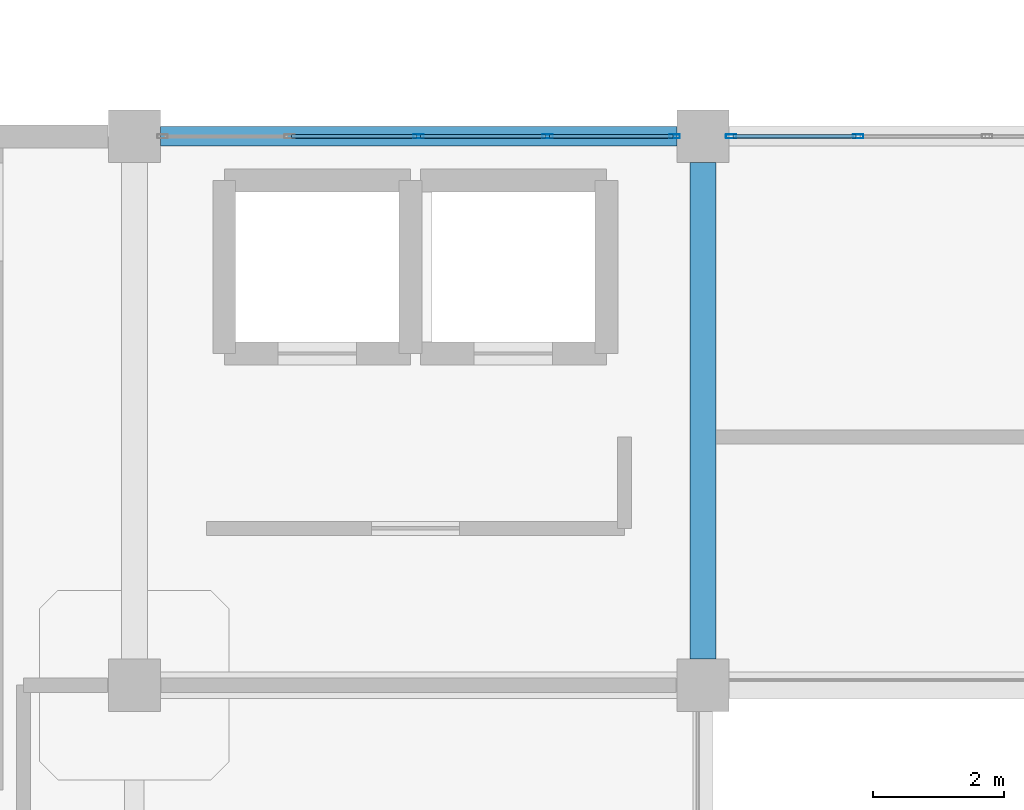
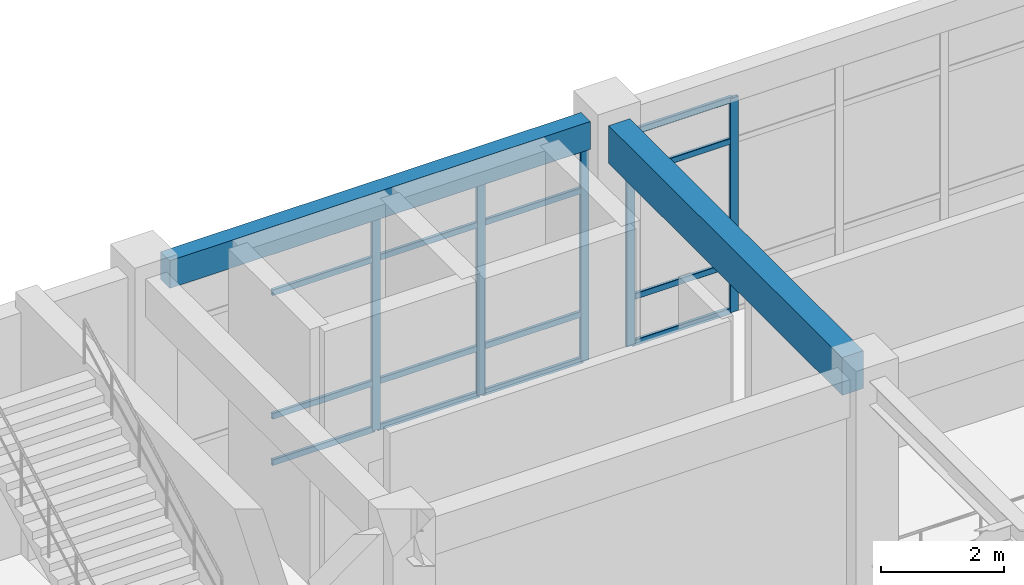
# One storey, part 45 of 96: 21 members, 2 beams, 2 elements without a shape of their own.
"""IFC4 building model written with IfcOpenShell, lengths in metres."""

from ifc_helpers import new_model, si_unit, derived_unit, direction, frame, origin, origin_2d, place, context, subcontext, project, spatial, rectangle, hollow_rectangle, extrude, material, layer, layer_set, material_profile, profile_set, type_object, element, aggregate, save


model = new_model("IFC4")

# Units and contexts
model_context = context("Model", 3, precision=1e-05, world=origin(), true_north=direction((0.0, 1.0)))
body_context = subcontext(model_context, "Body", "Model", "MODEL_VIEW")
ifc_project = project(units=[si_unit("LENGTHUNIT", "METRE"), si_unit("AREAUNIT", "SQUARE_METRE"), si_unit("VOLUMEUNIT", "CUBIC_METRE"), si_unit("PLANEANGLEUNIT", "RADIAN"), si_unit("MASSUNIT", "GRAM", prefix="KILO"), derived_unit("THERMALTRANSMITTANCEUNIT", [(si_unit("MASSUNIT", "GRAM", prefix="KILO"), 1), (si_unit("TIMEUNIT", "SECOND"), -3), (si_unit("THERMODYNAMICTEMPERATUREUNIT", "KELVIN"), -1)])], contexts=[model_context])

# Site, building, storey
site_placement = place(None, origin())
site = spatial("IfcSite", under=ifc_project, at=site_placement, CompositionType="ELEMENT")
building_placement = place(site_placement, origin())
building = spatial("IfcBuilding", under=site, at=building_placement, Name="Qinzheling Arcade Emporium", CompositionType="ELEMENT")
storey_placement = place(building_placement, frame((0.0, 0.0, 21.60009765625)))
storey = spatial("IfcBuildingStorey", under=building, at=storey_placement, Name="L05", CompositionType="ELEMENT", Elevation=21.60009765625)

# Curtain wall, members
ifc_material_1 = material(Name="Anodised aluminium and solar-control double glazing", Category="aluminium")
ifc_layer = layer(ifc_material_1, 0.159912109375, Name="Anodised aluminium and solar-control double glazing", Category="aluminium")
ifc_layer_set = layer_set([ifc_layer], Name="Anodised aluminium and solar-control double glazing")
curtain_wall_type = type_object("IfcCurtainWallType", Name="Atrium Clerestory Curtain Wall", PredefinedType="NOTDEFINED", material=ifc_layer_set)
curtain_wall_1_placement = place(storey_placement, origin())
curtain_wall_1 = element("IfcCurtainWall", 1, at=curtain_wall_1_placement, inside=storey, type_object=curtain_wall_type, Name="Curtain Wall CW-L05-319", PredefinedType="NOTDEFINED")
ifc_material_2 = material(Name="Anodised aluminium 6063-T6", Category="aluminium")
ifc_material_profile_1 = material_profile(ifc_material_2, hollow_rectangle(XDim=0.06005859375, YDim=0.159912109375, WallThickness=0.00390625, InnerFilletRadius=0.00390625, OuterFilletRadius=0.008056640625, at=origin_2d()), Name="RHS 160x60x4", Category="aluminium")
ifc_profile_set_1 = profile_set([ifc_material_profile_1], Name="Anodised aluminium 6063-T6")
member_type_1 = type_object("IfcMemberType", Name="Curtain Wall Mullion RHS160x60", PredefinedType="MULLION", material=ifc_profile_set_1)
member_1_placement = place(storey_placement, frame((47.85009765625, 73.800048828125, 0.0), z_axis=(0.0, 0.0, 1.0), x_axis=(0.0, 1.0, 0.0)))
member_1 = element("IfcMember", 2, at=member_1_placement, type_object=member_type_1, Name="CW03 mullion 3", PredefinedType="MULLION", context=body_context, shape_type="SweptSolid", body=[
    extrude(hollow_rectangle(XDim=0.06005859375, YDim=0.159912109375, WallThickness=0.00390625, InnerFilletRadius=0.00390625, OuterFilletRadius=0.008056640625, at=origin_2d()), origin(), (0.0, 0.0, 1.0), 4.2548828125),
])
member_2_placement = place(storey_placement, frame((49.823974609375, 73.800048828125, 0.0), z_axis=(0.0, 0.0, 1.0), x_axis=(0.0, 1.0, 0.0)))
member_2 = element("IfcMember", 3, at=member_2_placement, type_object=member_type_1, Name="CW03 mullion 4", PredefinedType="MULLION", context=body_context, shape_type="SweptSolid", body=[
    extrude(hollow_rectangle(XDim=0.06005859375, YDim=0.159912109375, WallThickness=0.00390625, InnerFilletRadius=0.00390625, OuterFilletRadius=0.008056640625, at=origin_2d()), origin(), (0.0, 0.0, 1.0), 4.2548828125),
])
member_3_placement = place(storey_placement, frame((51.76806640625, 73.800048828125, 0.0), z_axis=(0.0, 0.0, 1.0), x_axis=(0.0, 1.0, 0.0)))
member_3 = element("IfcMember", 4, at=member_3_placement, type_object=member_type_1, Name="CW03 mullion 5", PredefinedType="MULLION", context=body_context, shape_type="SweptSolid", body=[
    extrude(hollow_rectangle(XDim=0.06005859375, YDim=0.159912109375, WallThickness=0.00390625, InnerFilletRadius=0.00390625, OuterFilletRadius=0.008056640625, at=origin_2d()), origin(), (0.0, 0.0, 1.0), 4.2548828125),
])

curtain_wall_2_placement = place(storey_placement, origin())
curtain_wall_2 = element("IfcCurtainWall", 5, at=curtain_wall_2_placement, inside=storey, type_object=curtain_wall_type, Name="Curtain Wall CW-L05-320", PredefinedType="NOTDEFINED")
member_4_placement = place(storey_placement, frame((52.632080078125, 73.800048828125, 0.0), z_axis=(0.0, 0.0, 1.0), x_axis=(0.0, 1.0, 0.0)))
member_4 = element("IfcMember", 6, at=member_4_placement, type_object=member_type_1, Name="CW03 mullion 1", PredefinedType="MULLION", context=body_context, shape_type="SweptSolid", body=[
    extrude(hollow_rectangle(XDim=0.06005859375, YDim=0.159912109375, WallThickness=0.00390625, InnerFilletRadius=0.00390625, OuterFilletRadius=0.008056640625, at=origin_2d()), origin(), (0.0, 0.0, 1.0), 4.2548828125),
])
member_5_placement = place(storey_placement, frame((54.575927734375, 73.800048828125, 0.0), z_axis=(0.0, 0.0, 1.0), x_axis=(0.0, 1.0, 0.0)))
member_5 = element("IfcMember", 7, at=member_5_placement, type_object=member_type_1, Name="CW03 mullion 2", PredefinedType="MULLION", context=body_context, shape_type="SweptSolid", body=[
    extrude(hollow_rectangle(XDim=0.06005859375, YDim=0.159912109375, WallThickness=0.00390625, InnerFilletRadius=0.00390625, OuterFilletRadius=0.008056640625, at=origin_2d()), origin(), (0.0, 0.0, 1.0), 4.2548828125),
])

# Member
ifc_material_profile_2 = material_profile(ifc_material_2, hollow_rectangle(XDim=0.06005859375, YDim=0.1201171875, WallThickness=0.00390625, InnerFilletRadius=0.00390625, OuterFilletRadius=0.008056640625, at=origin_2d()), Name="RHS 120x60x4", Category="aluminium")
ifc_profile_set_2 = profile_set([ifc_material_profile_2], Name="Anodised aluminium 6063-T6")
member_type_2 = type_object("IfcMemberType", Name="Curtain Wall Transom RHS120x60", PredefinedType="USERDEFINED", material=ifc_profile_set_2)
member_6_placement = place(storey_placement, frame((45.906005859375, 73.800048828125, 0.02978515625), z_axis=(1.0, 0.0, 0.0), x_axis=(0.0, 1.0, 0.0)))
member_6 = element("IfcMember", 8, at=member_6_placement, type_object=member_type_2, Name="CW03 transom 2.1", ObjectType="TRANSOM", PredefinedType="USERDEFINED", context=body_context, shape_type="SweptSolid", body=[
    extrude(hollow_rectangle(XDim=0.06005859375, YDim=0.1201171875, WallThickness=0.00390625, InnerFilletRadius=0.00390625, OuterFilletRadius=0.008056640625, at=origin_2d()), origin(), (0.0, 0.0, 1.0), 1.9140625),
])

member_7_placement = place(storey_placement, frame((45.906005859375, 73.800048828125, 0.949951171875), z_axis=(1.0, 0.0, 0.0), x_axis=(0.0, 1.0, 0.0)))
member_7 = element("IfcMember", 9, at=member_7_placement, type_object=member_type_2, Name="CW03 transom 2.2", ObjectType="TRANSOM", PredefinedType="USERDEFINED", context=body_context, shape_type="SweptSolid", body=[
    extrude(hollow_rectangle(XDim=0.06005859375, YDim=0.1201171875, WallThickness=0.00390625, InnerFilletRadius=0.00390625, OuterFilletRadius=0.008056640625, at=origin_2d()), origin(), (0.0, 0.0, 1.0), 1.9140625),
])

member_8_placement = place(storey_placement, frame((45.906005859375, 73.800048828125, 3.40478515625), z_axis=(1.0, 0.0, 0.0), x_axis=(0.0, 1.0, 0.0)))
member_8 = element("IfcMember", 10, at=member_8_placement, type_object=member_type_2, Name="CW03 transom 2.3", ObjectType="TRANSOM", PredefinedType="USERDEFINED", context=body_context, shape_type="SweptSolid", body=[
    extrude(hollow_rectangle(XDim=0.06005859375, YDim=0.1201171875, WallThickness=0.00390625, InnerFilletRadius=0.00390625, OuterFilletRadius=0.008056640625, at=origin_2d()), origin(), (0.0, 0.0, 1.0), 1.9140625),
])

member_9_placement = place(storey_placement, frame((45.906005859375, 73.800048828125, 4.224853515625), z_axis=(1.0, 0.0, 0.0), x_axis=(0.0, 1.0, 0.0)))
member_9 = element("IfcMember", 11, at=member_9_placement, type_object=member_type_2, Name="CW03 transom 2.4", ObjectType="TRANSOM", PredefinedType="USERDEFINED", context=body_context, shape_type="SweptSolid", body=[
    extrude(hollow_rectangle(XDim=0.06005859375, YDim=0.1201171875, WallThickness=0.00390625, InnerFilletRadius=0.00390625, OuterFilletRadius=0.008056640625, at=origin_2d()), origin(), (0.0, 0.0, 1.0), 1.9140625),
])

member_10_placement = place(storey_placement, frame((47.8798828125, 73.800048828125, 0.02978515625), z_axis=(1.0, 0.0, 0.0), x_axis=(0.0, 1.0, 0.0)))
member_10 = element("IfcMember", 12, at=member_10_placement, type_object=member_type_2, Name="CW03 transom 3.1", ObjectType="TRANSOM", PredefinedType="USERDEFINED", context=body_context, shape_type="SweptSolid", body=[
    extrude(hollow_rectangle(XDim=0.06005859375, YDim=0.1201171875, WallThickness=0.00390625, InnerFilletRadius=0.00390625, OuterFilletRadius=0.008056640625, at=origin_2d()), origin(), (0.0, 0.0, 1.0), 1.9140625),
])

member_11_placement = place(storey_placement, frame((47.8798828125, 73.800048828125, 0.949951171875), z_axis=(1.0, 0.0, 0.0), x_axis=(0.0, 1.0, 0.0)))
member_11 = element("IfcMember", 13, at=member_11_placement, type_object=member_type_2, Name="CW03 transom 3.2", ObjectType="TRANSOM", PredefinedType="USERDEFINED", context=body_context, shape_type="SweptSolid", body=[
    extrude(hollow_rectangle(XDim=0.06005859375, YDim=0.1201171875, WallThickness=0.00390625, InnerFilletRadius=0.00390625, OuterFilletRadius=0.008056640625, at=origin_2d()), origin(), (0.0, 0.0, 1.0), 1.9140625),
])

member_12_placement = place(storey_placement, frame((47.8798828125, 73.800048828125, 3.40478515625), z_axis=(1.0, 0.0, 0.0), x_axis=(0.0, 1.0, 0.0)))
member_12 = element("IfcMember", 14, at=member_12_placement, type_object=member_type_2, Name="CW03 transom 3.3", ObjectType="TRANSOM", PredefinedType="USERDEFINED", context=body_context, shape_type="SweptSolid", body=[
    extrude(hollow_rectangle(XDim=0.06005859375, YDim=0.1201171875, WallThickness=0.00390625, InnerFilletRadius=0.00390625, OuterFilletRadius=0.008056640625, at=origin_2d()), origin(), (0.0, 0.0, 1.0), 1.9140625),
])

member_13_placement = place(storey_placement, frame((47.8798828125, 73.800048828125, 4.224853515625), z_axis=(1.0, 0.0, 0.0), x_axis=(0.0, 1.0, 0.0)))
member_13 = element("IfcMember", 15, at=member_13_placement, type_object=member_type_2, Name="CW03 transom 3.4", ObjectType="TRANSOM", PredefinedType="USERDEFINED", context=body_context, shape_type="SweptSolid", body=[
    extrude(hollow_rectangle(XDim=0.06005859375, YDim=0.1201171875, WallThickness=0.00390625, InnerFilletRadius=0.00390625, OuterFilletRadius=0.008056640625, at=origin_2d()), origin(), (0.0, 0.0, 1.0), 1.9140625),
])

member_14_placement = place(storey_placement, frame((49.85400390625, 73.800048828125, 0.02978515625), z_axis=(1.0, 0.0, 0.0), x_axis=(0.0, 1.0, 0.0)))
member_14 = element("IfcMember", 16, at=member_14_placement, type_object=member_type_2, Name="CW03 transom 4.1", ObjectType="TRANSOM", PredefinedType="USERDEFINED", context=body_context, shape_type="SweptSolid", body=[
    extrude(hollow_rectangle(XDim=0.06005859375, YDim=0.1201171875, WallThickness=0.00390625, InnerFilletRadius=0.00390625, OuterFilletRadius=0.008056640625, at=origin_2d()), origin(), (0.0, 0.0, 1.0), 1.884033203125),
])

member_15_placement = place(storey_placement, frame((49.85400390625, 73.800048828125, 0.949951171875), z_axis=(1.0, 0.0, 0.0), x_axis=(0.0, 1.0, 0.0)))
member_15 = element("IfcMember", 17, at=member_15_placement, type_object=member_type_2, Name="CW03 transom 4.2", ObjectType="TRANSOM", PredefinedType="USERDEFINED", context=body_context, shape_type="SweptSolid", body=[
    extrude(hollow_rectangle(XDim=0.06005859375, YDim=0.1201171875, WallThickness=0.00390625, InnerFilletRadius=0.00390625, OuterFilletRadius=0.008056640625, at=origin_2d()), origin(), (0.0, 0.0, 1.0), 1.884033203125),
])

member_16_placement = place(storey_placement, frame((49.85400390625, 73.800048828125, 3.40478515625), z_axis=(1.0, 0.0, 0.0), x_axis=(0.0, 1.0, 0.0)))
member_16 = element("IfcMember", 18, at=member_16_placement, type_object=member_type_2, Name="CW03 transom 4.3", ObjectType="TRANSOM", PredefinedType="USERDEFINED", context=body_context, shape_type="SweptSolid", body=[
    extrude(hollow_rectangle(XDim=0.06005859375, YDim=0.1201171875, WallThickness=0.00390625, InnerFilletRadius=0.00390625, OuterFilletRadius=0.008056640625, at=origin_2d()), origin(), (0.0, 0.0, 1.0), 1.884033203125),
])

member_17_placement = place(storey_placement, frame((49.85400390625, 73.800048828125, 4.224853515625), z_axis=(1.0, 0.0, 0.0), x_axis=(0.0, 1.0, 0.0)))
member_17 = element("IfcMember", 19, at=member_17_placement, type_object=member_type_2, Name="CW03 transom 4.4", ObjectType="TRANSOM", PredefinedType="USERDEFINED", context=body_context, shape_type="SweptSolid", body=[
    extrude(hollow_rectangle(XDim=0.06005859375, YDim=0.1201171875, WallThickness=0.00390625, InnerFilletRadius=0.00390625, OuterFilletRadius=0.008056640625, at=origin_2d()), origin(), (0.0, 0.0, 1.0), 1.884033203125),
])

aggregate(curtain_wall_1, [member_1, member_2, member_3, member_6, member_7, member_8, member_9, member_10, member_11, member_12, member_13, member_14, member_15, member_16, member_17])

member_18_placement = place(storey_placement, frame((52.662109375, 73.800048828125, 0.02978515625), z_axis=(1.0, 0.0, 0.0), x_axis=(0.0, 1.0, 0.0)))
member_18 = element("IfcMember", 20, at=member_18_placement, type_object=member_type_2, Name="CW03 transom 1.1", ObjectType="TRANSOM", PredefinedType="USERDEFINED", context=body_context, shape_type="SweptSolid", body=[
    extrude(hollow_rectangle(XDim=0.06005859375, YDim=0.1201171875, WallThickness=0.00390625, InnerFilletRadius=0.00390625, OuterFilletRadius=0.008056640625, at=origin_2d()), origin(), (0.0, 0.0, 1.0), 1.8837890625),
])

member_19_placement = place(storey_placement, frame((52.662109375, 73.800048828125, 0.949951171875), z_axis=(1.0, 0.0, 0.0), x_axis=(0.0, 1.0, 0.0)))
member_19 = element("IfcMember", 21, at=member_19_placement, type_object=member_type_2, Name="CW03 transom 1.2", ObjectType="TRANSOM", PredefinedType="USERDEFINED", context=body_context, shape_type="SweptSolid", body=[
    extrude(hollow_rectangle(XDim=0.06005859375, YDim=0.1201171875, WallThickness=0.00390625, InnerFilletRadius=0.00390625, OuterFilletRadius=0.008056640625, at=origin_2d()), origin(), (0.0, 0.0, 1.0), 1.8837890625),
])

member_20_placement = place(storey_placement, frame((52.662109375, 73.800048828125, 3.40478515625), z_axis=(1.0, 0.0, 0.0), x_axis=(0.0, 1.0, 0.0)))
member_20 = element("IfcMember", 22, at=member_20_placement, type_object=member_type_2, Name="CW03 transom 1.3", ObjectType="TRANSOM", PredefinedType="USERDEFINED", context=body_context, shape_type="SweptSolid", body=[
    extrude(hollow_rectangle(XDim=0.06005859375, YDim=0.1201171875, WallThickness=0.00390625, InnerFilletRadius=0.00390625, OuterFilletRadius=0.008056640625, at=origin_2d()), origin(), (0.0, 0.0, 1.0), 1.8837890625),
])

member_21_placement = place(storey_placement, frame((52.662109375, 73.800048828125, 4.224853515625), z_axis=(1.0, 0.0, 0.0), x_axis=(0.0, 1.0, 0.0)))
member_21 = element("IfcMember", 23, at=member_21_placement, type_object=member_type_2, Name="CW03 transom 1.4", ObjectType="TRANSOM", PredefinedType="USERDEFINED", context=body_context, shape_type="SweptSolid", body=[
    extrude(hollow_rectangle(XDim=0.06005859375, YDim=0.1201171875, WallThickness=0.00390625, InnerFilletRadius=0.00390625, OuterFilletRadius=0.008056640625, at=origin_2d()), origin(), (0.0, 0.0, 1.0), 1.8837890625),
])

aggregate(curtain_wall_2, [member_4, member_5, member_18, member_19, member_20, member_21])

# Beams
ifc_material_3 = material(Name="Concrete C40", Category="concrete")
ifc_material_profile_3 = material_profile(ifc_material_3, rectangle(XDim=0.39990234375, YDim=0.75, at=origin_2d()), Name="RC 400x750", Category="concrete")
ifc_profile_set_3 = profile_set([ifc_material_profile_3], Name="Concrete C40")
beam_type_1 = type_object("IfcBeamType", Name="RC Interior Tie Beam 400x750 C40", PredefinedType="BEAM", material=ifc_profile_set_3)
beam_1_placement = place(storey_placement, frame((52.199951171875, 65.800048828125, 4.44482421875), z_axis=(0.0, 1.0, 0.0), x_axis=(-1.0, 0.0, 0.0)))
element("IfcBeam", 24, at=beam_1_placement, inside=storey, type_object=beam_type_1, Name="Beam BM-L05-Y-7-H", PredefinedType="BEAM", context=body_context, shape_type="SweptSolid", body=[
    extrude(rectangle(XDim=0.39990234375, YDim=0.75, at=origin_2d()), origin(), (0.0, 0.0, 1.0), 7.599853515625),
])
ifc_material_profile_4 = material_profile(ifc_material_3, rectangle(XDim=0.300048828125, YDim=0.550048828125, at=origin_2d()), Name="RC 300x550", Category="concrete")
ifc_profile_set_4 = profile_set([ifc_material_profile_4], Name="Concrete C40")
beam_type_2 = type_object("IfcBeamType", Name="RC Terrace Spandrel Beam 300x550 C40", PredefinedType="SPANDREL", material=ifc_profile_set_4)
beam_2_placement = place(storey_placement, frame((43.89990234375, 73.800048828125, 4.544921875), z_axis=(1.0, 0.0, 0.0), x_axis=(0.0, 1.0, 0.0)))
element("IfcBeam", 25, at=beam_2_placement, inside=storey, type_object=beam_type_2, Name="Beam BM-L05-X-J-6", PredefinedType="SPANDREL", context=body_context, shape_type="SweptSolid", body=[
    extrude(rectangle(XDim=0.300048828125, YDim=0.550048828125, at=origin_2d()), origin(), (0.0, 0.0, 1.0), 7.900146484375),
])

save(model, "model.ifc")
